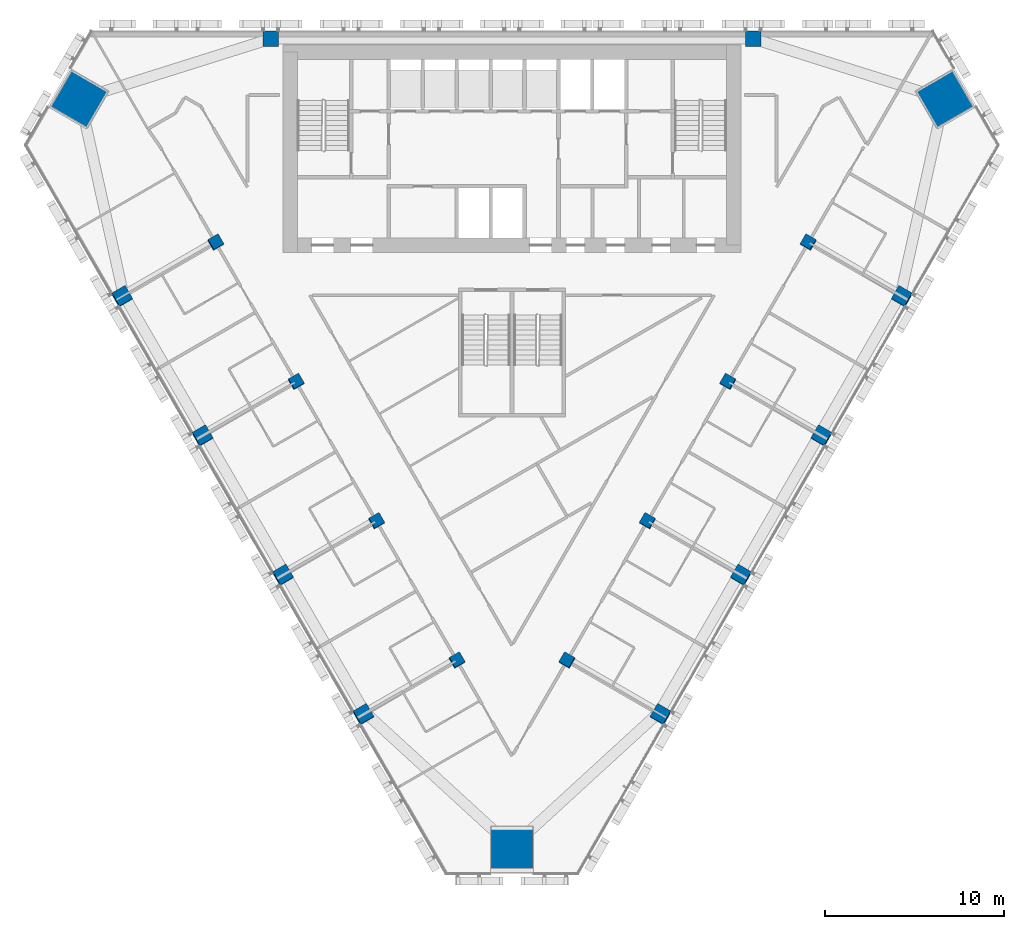
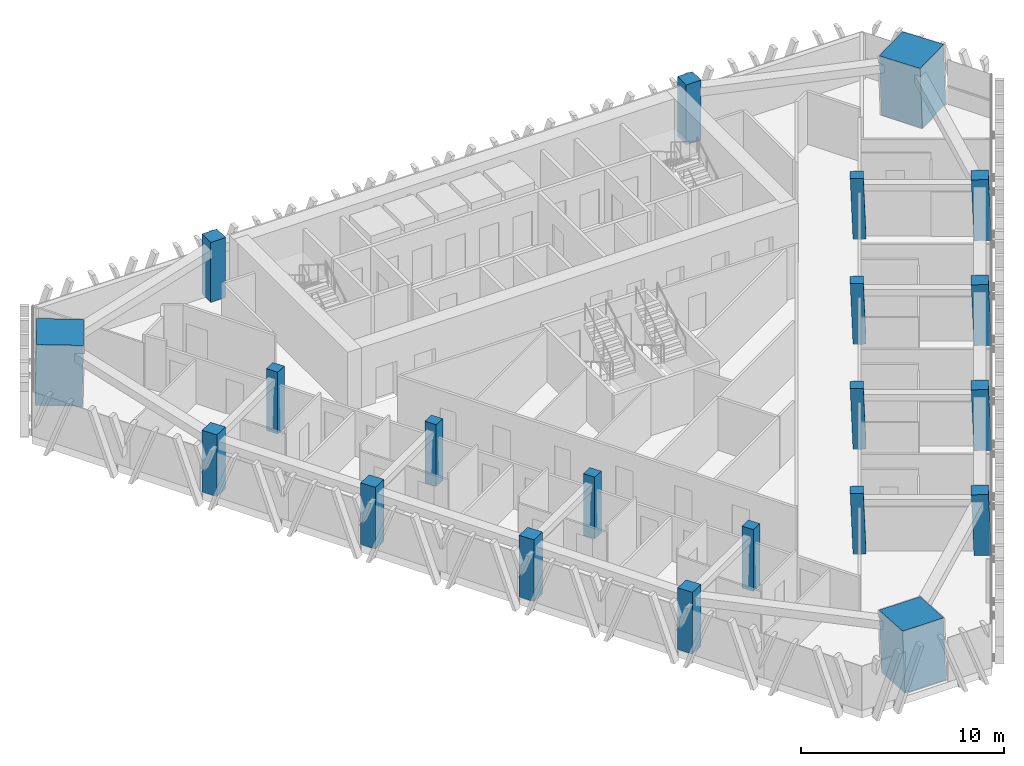
# One storey, part 1 of 16: 21 columns.
"""IFC4 building model written with IfcOpenShell, lengths in metres."""

from ifc_helpers import new_model, si_unit, direction, frame, origin, origin_2d, place, context, subcontext, project, spatial, rectangle, extrude, material, material_profile, profile_set, type_object, element, save


model = new_model("IFC4")

# Units and contexts
model_context = context("Model", 3, precision=1e-05, world=origin(), true_north=direction((0.0, 1.0)))
body_context = subcontext(model_context, "Body", "Model", "MODEL_VIEW")
ifc_project = project(units=[si_unit("LENGTHUNIT", "METRE"), si_unit("AREAUNIT", "SQUARE_METRE"), si_unit("VOLUMEUNIT", "CUBIC_METRE"), si_unit("PLANEANGLEUNIT", "RADIAN"), si_unit("MASSUNIT", "GRAM", prefix="KILO")], contexts=[model_context])

# Site, building, storey
site_placement = place(None, origin())
site = spatial("IfcSite", under=ifc_project, at=site_placement, CompositionType="ELEMENT")
building_placement = place(site_placement, origin())
building = spatial("IfcBuilding", under=site, at=building_placement, Name="Altiplano Prism Tower", CompositionType="ELEMENT")
storey_placement = place(building_placement, frame((0.0, 0.0, 149.39990234375)))
storey = spatial("IfcBuildingStorey", under=building, at=storey_placement, Name="L38", CompositionType="ELEMENT", Elevation=149.39990234375)

# Columns
ifc_material_1 = material(Name="Concrete C60/75", Category="concrete")
ifc_material_profile_1 = material_profile(ifc_material_1, rectangle(XDim=0.64990234375, YDim=0.64990234375, at=origin_2d()), Name="Inner column 650")
ifc_profile_set_1 = profile_set([ifc_material_profile_1], Name="Concrete C60/75")
column_type_1 = type_object("IfcColumnType", Name="Inner column 650", PredefinedType="COLUMN", material=ifc_profile_set_1)
for number, where, z_axis, x_axis, name in (
    (1, (68.411865234375, 93.151123046875, -0.01953125), (0.022222852987, 0.038483477124, 0.999012095419), (-0.86564204957, -0.499182053359, 0.038485316959), "Inner column I11 L38"),
    (2, (72.911865234375, 85.35693359375, -0.01953125), (0.022222910879, 0.038415824599, 0.999014697916), (-0.866022882898, -0.498524966963, 0.038434666793), "Inner column I12 L38"),
    (3, (77.411865234375, 77.562744140625, -0.01953125), (0.022222910879, 0.038415824599, 0.999014697916), (-0.866021322354, -0.498527672539, 0.038434736118), "Inner column I13 L38"),
    (4, (81.911865234375, 69.7685546875, -0.01953125), (0.022222910879, 0.038415824599, 0.999014697916), (-0.866022882898, -0.498524966963, 0.038434666793), "Inner column I14 L38"),
    (5, (88.088134765625, 69.7685546875, -0.01953125), (-0.022222910879, 0.038415824599, 0.999014697916), (-0.499510268692, -0.866023718922, 0.022190307257), "Inner column I21 L38"),
    (6, (92.588134765625, 77.562744140625, -0.01953125), (-0.022222910879, 0.038415824599, 0.999014697916), (-0.499512974266, -0.866022161456, 0.022190187181), "Inner column I22 L38"),
    (7, (97.088134765625, 85.35693359375, -0.01953125), (-0.022222910879, 0.038415824599, 0.999014697916), (-0.499510298922, -0.86602370152, 0.022190305915), "Inner column I23 L38"),
    (8, (101.588134765625, 93.151123046875, -0.01953125), (-0.022222852987, 0.038483477124, 0.999012095419), (-0.500174641503, -0.865639430517, 0.022219458401), "Inner column I24 L38"),
):
    element("IfcColumn", number, at=place(storey_placement, frame(where, z_axis=z_axis, x_axis=x_axis)), inside=storey, type_object=column_type_1, Name=name, PredefinedType="COLUMN", context=body_context, shape_type="SweptSolid", body=[
        extrude(rectangle(XDim=0.64990234375, YDim=0.64990234375, at=origin_2d()), origin(), (0.0, 0.0, 1.0), 3.603515625),
    ])
ifc_material_2 = material(Name="Concrete C70/85", Category="concrete")
ifc_material_profile_2 = material_profile(ifc_material_2, rectangle(XDim=2.320068359375, YDim=2.320068359375, at=origin_2d()), Name="Mega column infill 2400")
ifc_profile_set_2 = profile_set([ifc_material_profile_2], Name="Concrete C70/85")
column_type_2 = type_object("IfcColumnType", Name="Mega column infill 2400", PredefinedType="COLUMN", material=ifc_profile_set_2)
column_1_placement = place(storey_placement, frame((60.729248046875, 101.153076171875, 0.0), z_axis=(0.028401814599, 0.009218727412, 0.999554076572), x_axis=(-0.865127421055, 0.501154806977, 0.019960079728)))
element("IfcColumn", 9, at=column_1_placement, inside=storey, type_object=column_type_2, Name="Mega column M0 L38", PredefinedType="COLUMN", context=body_context, shape_type="SweptSolid", body=[
    extrude(rectangle(XDim=2.320068359375, YDim=2.320068359375, at=origin_2d()), origin(), (0.0, 0.0, 1.0), 3.601806640625),
])
column_2_placement = place(storey_placement, frame((85.0, 59.114990234375, 0.0), z_axis=(0.0, 0.058356907999, 0.998295783467), x_axis=(-1.0, 0.0, 0.0)))
element("IfcColumn", 10, at=column_2_placement, inside=storey, type_object=column_type_2, Name="Mega column M1 L38", PredefinedType="COLUMN", context=body_context, shape_type="SweptSolid", body=[
    extrude(rectangle(XDim=2.320068359375, YDim=2.320068359375, at=origin_2d()), origin(), (0.0, 0.0, 1.0), 3.606201171875),
])
column_3_placement = place(storey_placement, frame((109.270751953125, 101.153076171875, 0.0), z_axis=(-0.028401814599, 0.009218727412, 0.999554076572), x_axis=(0.50074981516, -0.865307099728, 0.022209137265)))
element("IfcColumn", 11, at=column_3_placement, inside=storey, type_object=column_type_2, Name="Mega column M2 L38", PredefinedType="COLUMN", context=body_context, shape_type="SweptSolid", body=[
    extrude(rectangle(XDim=2.320068359375, YDim=2.320068359375, at=origin_2d()), origin(), (0.0, 0.0, 1.0), 3.601806640625),
])
ifc_material_profile_3 = material_profile(ifc_material_1, rectangle(XDim=0.85009765625, YDim=0.85009765625, at=origin_2d()), Name="Perimeter column 850")
ifc_profile_set_3 = profile_set([ifc_material_profile_3], Name="Concrete C60/75")
column_type_3 = type_object("IfcColumnType", Name="Perimeter column 850", PredefinedType="COLUMN", material=ifc_profile_set_3)
for number, where, z_axis, x_axis, name in (
    (12, (98.5, 104.550048828125, 0.0), (0.0, 0.0, 1.0), (1.0, 0.0, 0.0), "Perimeter column P01 L38"),
    (13, (71.5, 104.550048828125, 0.0), (0.0, 0.0, 1.0), (1.0, 0.0, 0.0), "Perimeter column P04 L38"),
):
    element("IfcColumn", number, at=place(storey_placement, frame(where, z_axis=z_axis, x_axis=x_axis)), inside=storey, type_object=column_type_3, Name=name, PredefinedType="COLUMN", context=body_context, shape_type="SweptSolid", body=[
        extrude(rectangle(XDim=0.85009765625, YDim=0.85009765625, at=origin_2d()), origin(), (0.0, 0.0, 1.0), 3.60009765625),
    ])
for number, where, z_axis, x_axis, name in (
    (14, (63.17236328125, 90.1259765625, -0.025634765625), (0.02215519141, 0.038415882353, 0.999016199807), (-0.865361939077, -0.499673629592, 0.038405446053), "Perimeter column P11 L38"),
    (15, (67.67236328125, 82.331787109375, -0.025634765625), (0.02215519141, 0.038415882353, 0.999016199807), (-0.865363494459, -0.499670941183, 0.038405377168), "Perimeter column P12 L38"),
    (16, (72.17236328125, 74.537353515625, -0.025634765625), (0.022155133694, 0.038483534979, 0.999013597298), (-0.864979679845, -0.500331165571, 0.038456185646), "Perimeter column P13 L38"),
    (17, (76.67236328125, 66.7431640625, -0.025634765625), (0.022155133694, 0.038483534979, 0.999013597298), (-0.864981237277, -0.500328478352, 0.03845611667), "Perimeter column P14 L38"),
    (18, (93.32763671875, 66.7431640625, -0.025634765625), (-0.022155133694, 0.038483534979, 0.999013597298), (-0.5013148803, -0.864980017854, 0.022202691372), "Perimeter column P21 L38"),
    (19, (97.82763671875, 74.537353515625, -0.025634765625), (-0.022155133694, 0.038483534979, 0.999013597298), (-0.501317567522, -0.864978463486, 0.022202571901), "Perimeter column P22 L38"),
    (20, (102.32763671875, 82.331787109375, -0.025634765625), (-0.02215519141, 0.038415882353, 0.999016199807), (-0.500654771472, -0.865363010726, 0.022173395511), "Perimeter column P23 L38"),
    (21, (106.82763671875, 90.1259765625, -0.025634765625), (-0.02215519141, 0.038415882353, 0.999016199807), (-0.500657459883, -0.865361458401, 0.022173276197), "Perimeter column P24 L38"),
):
    element("IfcColumn", number, at=place(storey_placement, frame(where, z_axis=z_axis, x_axis=x_axis)), inside=storey, type_object=column_type_3, Name=name, PredefinedType="COLUMN", context=body_context, shape_type="SweptSolid", body=[
        extrude(rectangle(XDim=0.85009765625, YDim=0.85009765625, at=origin_2d()), origin(), (0.0, 0.0, 1.0), 3.603515625),
    ])

save(model, "model.ifc")
